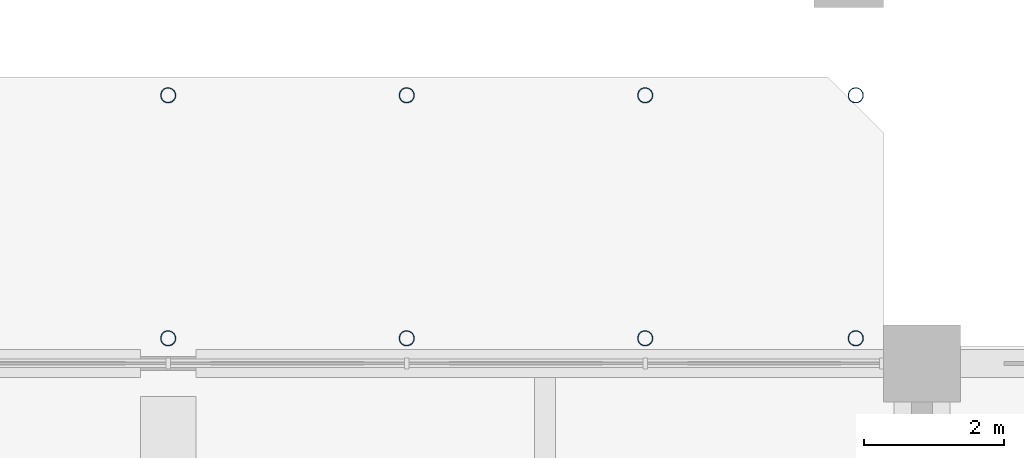
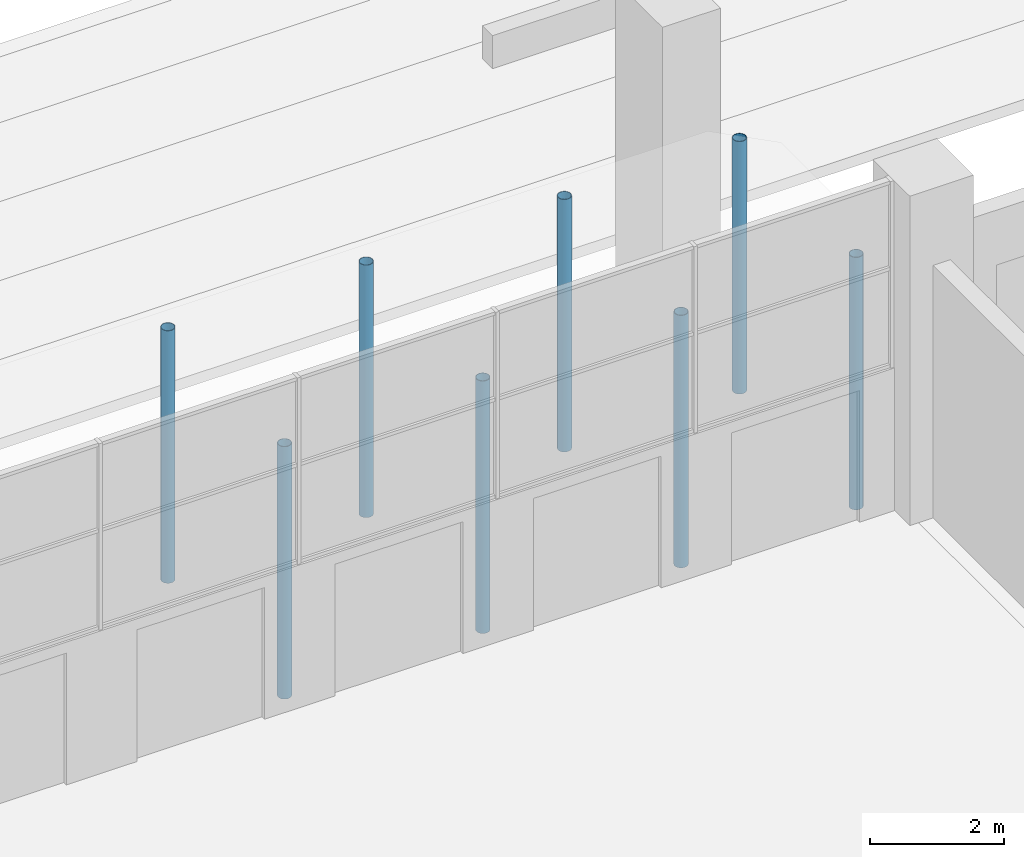
# One storey, part 38 of 71: 8 members.
"""IFC4 building model written with IfcOpenShell, lengths in metres."""

from ifc_helpers import new_model, si_unit, direction, frame, origin, origin_2d, place, context, subcontext, project, spatial, hollow_circle, extrude, material, material_profile, profile_set, type_object, element, save


model = new_model("IFC4")

# Units and contexts
model_context = context("Model", 3, precision=1e-05, world=origin(), true_north=direction((0.0, 1.0)))
body_context = subcontext(model_context, "Body", "Model", "MODEL_VIEW")
ifc_project = project(units=[si_unit("LENGTHUNIT", "METRE"), si_unit("AREAUNIT", "SQUARE_METRE"), si_unit("VOLUMEUNIT", "CUBIC_METRE"), si_unit("PLANEANGLEUNIT", "RADIAN"), si_unit("MASSUNIT", "GRAM", prefix="KILO")], contexts=[model_context])

# Site, building, storey
site_placement = place(None, origin())
site = spatial("IfcSite", under=ifc_project, at=site_placement, CompositionType="ELEMENT")
building_placement = place(site_placement, origin())
building = spatial("IfcBuilding", under=site, at=building_placement, Name="Basin Gate Institute", CompositionType="ELEMENT")
storey_placement = place(building_placement, origin())
storey = spatial("IfcBuildingStorey", under=building, at=storey_placement, Name="L00", CompositionType="ELEMENT", Elevation=0.0)

# Members
ifc_material = material(Name="Structural steel SN490", Category="steel")
ifc_material_profile = material_profile(ifc_material, hollow_circle(Radius=0.109619140625, WallThickness=0.008056640625, at=origin_2d()), Name="CHS219x8")
ifc_profile_set = profile_set([ifc_material_profile], Name="Structural steel SN490")
member_type = type_object("IfcMemberType", Name="Canopy post TD3", PredefinedType="POST", material=ifc_profile_set)
for number, where, z_axis, x_axis, name in (
    (1, (90.0, 100.259521484375, -0.050048828125), (0.0, 0.0, 1.0), (1.0, 0.0, 0.0), "Canopy post north 4"),
    (2, (93.416748046875, 100.259521484375, -0.050048828125), (0.0, 0.0, 1.0), (1.0, 0.0, 0.0), "Canopy post north 5"),
    (3, (96.833251953125, 100.259521484375, -0.050048828125), (0.0, 0.0, 1.0), (1.0, 0.0, 0.0), "Canopy post north 6"),
    (4, (99.85009765625, 100.259521484375, -0.050048828125), (0.0, 0.0, 1.0), (1.0, 0.0, 0.0), "Canopy post north 7"),
    (5, (90.0, 103.740478515625, -0.050048828125), (0.0, 0.0, 1.0), (1.0, 0.0, 0.0), "Canopy post north 11"),
    (6, (93.416748046875, 103.740478515625, -0.050048828125), (0.0, 0.0, 1.0), (1.0, 0.0, 0.0), "Canopy post north 12"),
    (7, (96.833251953125, 103.740478515625, -0.050048828125), (0.0, 0.0, 1.0), (1.0, 0.0, 0.0), "Canopy post north 13"),
    (8, (99.85009765625, 103.740478515625, -0.050048828125), (0.0, 0.0, 1.0), (1.0, 0.0, 0.0), "Canopy post north 14"),
):
    element("IfcMember", number, at=place(storey_placement, frame(where, z_axis=z_axis, x_axis=x_axis)), inside=storey, type_object=member_type, material=ifc_profile_set, Name=name, PredefinedType="POST", context=body_context, shape_type="SweptSolid", body=[
        extrude(hollow_circle(Radius=0.109619140625, WallThickness=0.008056640625, at=origin_2d()), origin(), (0.0, 0.0, 1.0), 4.60009765625),
    ])

save(model, "model.ifc")
